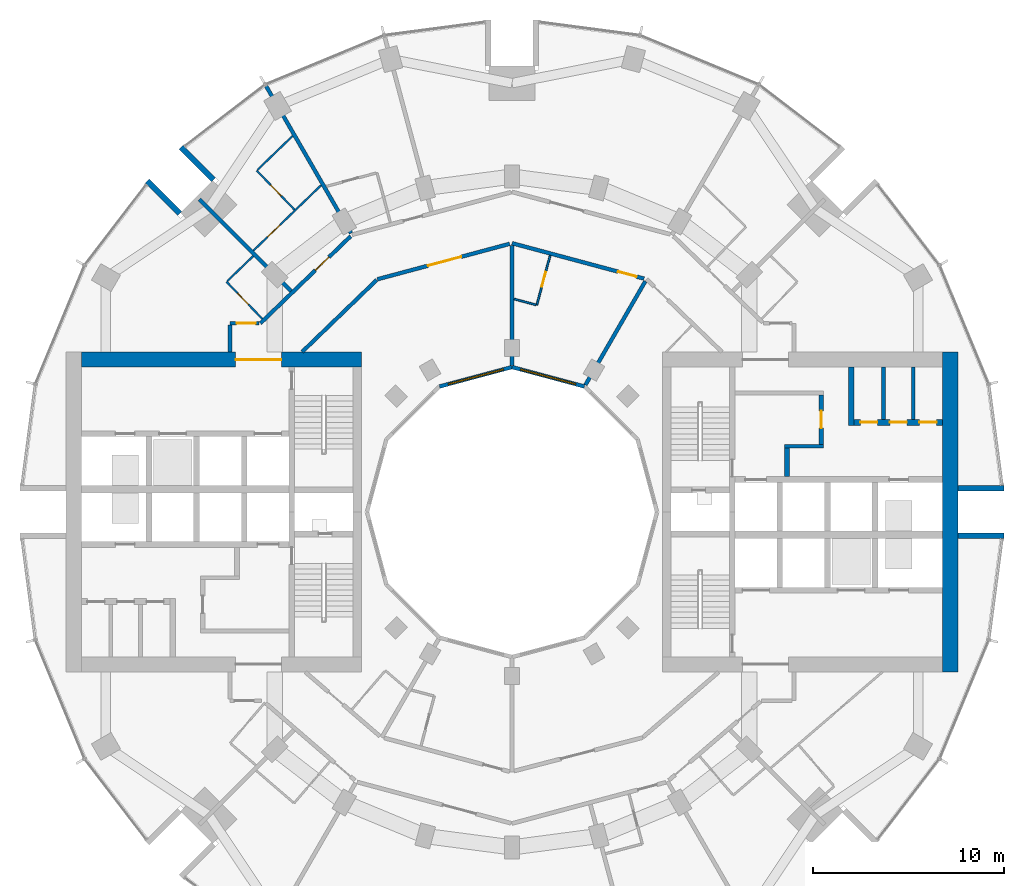
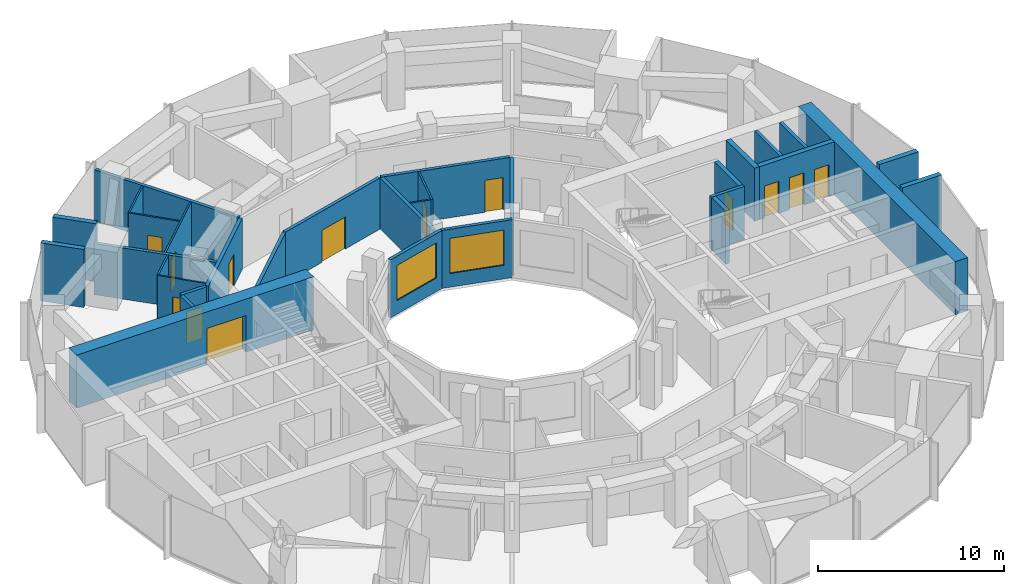
# One storey, part 11 of 15: 32 walls, 13 doors, 2 windows, 15 openings.
"""IFC4 building model written with IfcOpenShell, lengths in metres."""

from ifc_helpers import new_model, si_unit, direction, frame, frame_2d, origin, place, context, subcontext, project, spatial, rectangle, extrude, material, layer, layer_set, type_object, element, fill, save


model = new_model("IFC4")

# Units and contexts
model_context = context("Model", 3, precision=1e-05, world=origin(), true_north=direction((0.0, 1.0)))
body_context = subcontext(model_context, "Body", "Model", "MODEL_VIEW")
ifc_project = project(units=[si_unit("LENGTHUNIT", "METRE"), si_unit("AREAUNIT", "SQUARE_METRE"), si_unit("VOLUMEUNIT", "CUBIC_METRE"), si_unit("PLANEANGLEUNIT", "RADIAN"), si_unit("MASSUNIT", "GRAM", prefix="KILO")], contexts=[model_context])

# Site, building, storey
site_placement = place(None, origin())
site = spatial("IfcSite", under=ifc_project, at=site_placement, CompositionType="ELEMENT")
building_placement = place(site_placement, origin())
building = spatial("IfcBuilding", under=site, at=building_placement, Name="Torre Brocal", CompositionType="ELEMENT")
storey_placement = place(building_placement, frame((0.0, 0.0, 93.800048828125)))
storey = spatial("IfcBuildingStorey", under=building, at=storey_placement, Name="L21", CompositionType="ELEMENT", Elevation=93.800048828125)

# Walls
ifc_material_1 = material(Name="Masonry block", Category="masonry")
ifc_layer_1 = layer(ifc_material_1, 0.199951171875)
ifc_layer_set_1 = layer_set([ifc_layer_1], Name="Masonry block")
wall_type_1 = type_object("IfcWallType", Name="CORE PARTITION 200", PredefinedType="PARTITIONING", material=ifc_layer_set_1)
for number, where, z_axis, x_axis, name in (
    (1, (99.5, 79.85009765625, 0.0), (0.0, 0.0, 1.0), (0.0, 1.0, 0.0), "Wall CP200"),
    (2, (101.050048828125, 79.85009765625, 0.0), (0.0, 0.0, 1.0), (0.0, 1.0, 0.0), "Wall CP200"),
):
    element("IfcWall", number, at=place(storey_placement, frame(where, z_axis=z_axis, x_axis=x_axis)), inside=storey, type_object=wall_type_1, Name=name, PredefinedType="PARTITIONING", context=body_context, shape_type="SweptSolid", body=[
        extrude(rectangle(XDim=2.75, YDim=0.199951171875, at=frame_2d((1.375, 0.0))), origin(), (0.0, 0.0, 1.0), 3.47998046875),
    ])
ifc_material_2 = material(Name="Concrete C80", Category="concrete")
ifc_layer_2 = layer(ifc_material_2, 0.199951171875)
ifc_layer_set_2 = layer_set([ifc_layer_2], Name="Concrete C80")
wall_type_2 = type_object("IfcWallType", Name="CORE WALL 200 C80", PredefinedType="SHEAR", material=ifc_layer_set_2)
wall_1_placement = place(storey_placement, frame((94.300048828125, 78.449951171875, 0.0), z_axis=(0.0, 0.0, 1.0), x_axis=(1.0, 0.0, 0.0)))
element("IfcWall", 3, at=wall_1_placement, inside=storey, type_object=wall_type_2, Name="Wall CW200-80", PredefinedType="SHEAR", context=body_context, shape_type="SweptSolid", body=[
    extrude(rectangle(XDim=2.050048828125, YDim=0.199951171875, at=frame_2d((1.02490234375, 0.0))), origin(), (0.0, 0.0, 1.0), 3.47998046875),
])

# Wall, opening, door
ifc_material_3 = material(Name="Concrete C80", Category="concrete")
ifc_layer_3 = layer(ifc_material_3, 0.25)
ifc_layer_set_3 = layer_set([ifc_layer_3], Name="Concrete C80")
wall_type_3 = type_object("IfcWallType", Name="CORE WALL 250 C80", PredefinedType="SHEAR", material=ifc_layer_set_3)
wall_2_placement = place(storey_placement, frame((96.22509765625, 78.550048828125, 0.0), z_axis=(0.0, 0.0, 1.0), x_axis=(0.0, 1.0, 0.0)))
wall_2 = element("IfcWall", 4, at=wall_2_placement, inside=storey, type_object=wall_type_3, Name="Wall CW250-80", PredefinedType="SHEAR", context=body_context, shape_type="SweptSolid", body=[
    extrude(rectangle(XDim=2.599853515625, YDim=0.25, at=frame_2d((1.2998046875, 0.0))), origin(), (0.0, 0.0, 1.0), 3.47998046875),
])
opening_1_placement = place(wall_2_placement, frame((0.85009765625, 0.0, 0.0)))
opening_1 = element("IfcOpeningElement", 5, at=opening_1_placement, cuts=wall_2, Name="Opening E-D15", PredefinedType="OPENING", context=body_context, shape_type="SweptSolid", body=[
    extrude(rectangle(XDim=0.89990234375, YDim=2.10009765625, at=frame_2d((0.449951171875, 1.050048828125))), frame((0.0, 0.135009765625, 0.0), z_axis=(0.0, -1.0, 0.0), x_axis=(1.0, 0.0, 0.0)), (0.0, 0.0, 1.0), 0.27001953125),
])
ifc_material_4 = material(Name="Steel A653", Category="steel")
door_type_1 = type_object("IfcDoorType", Name="LOBBY DOOR FD120 900X2100", OperationType="SINGLE_SWING_RIGHT", PredefinedType="DOOR", material=ifc_material_4)
door_1_placement = place(opening_1_placement, origin())
door_1 = element("IfcDoor", 6, at=door_1_placement, inside=storey, type_object=door_type_1, Name="Door E-D15", OperationType="SINGLE_SWING_LEFT", OverallHeight=2.10009765625, OverallWidth=0.89990234375, PredefinedType="DOOR", context=body_context, shape_type="SweptSolid", body=[
    extrude(rectangle(XDim=0.89990234375, YDim=2.10009765625, at=frame_2d((0.449951171875, 1.050048828125))), frame((0.0, 0.02490234375, 0.0), z_axis=(0.0, -1.0, 0.0), x_axis=(1.0, 0.0, 0.0)), (0.0, 0.0, 1.0), 0.050048828125),
])
fill(opening_1, door_1)

# Walls
wall_3_placement = place(storey_placement, frame((94.425048828125, 76.85009765625, 0.0), z_axis=(0.0, 0.0, 1.0), x_axis=(0.0, 1.0, 0.0)))
element("IfcWall", 7, at=wall_3_placement, inside=storey, type_object=wall_type_3, Name="Wall CW250-80", PredefinedType="SHEAR", context=body_context, shape_type="SweptSolid", body=[
    extrude(rectangle(XDim=1.5, YDim=0.25, at=frame_2d((0.75, 0.0))), origin(), (0.0, 0.0, 1.0), 3.47998046875),
])
ifc_material_5 = material(Name="Concrete C80", Category="concrete")
ifc_layer_4 = layer(ifc_material_5, 0.300048828125)
ifc_layer_set_4 = layer_set([ifc_layer_4], Name="Concrete C80")
wall_type_4 = type_object("IfcWallType", Name="CORE WALL 300 C80", PredefinedType="SHEAR", material=ifc_layer_set_4)
wall_4_placement = place(storey_placement, frame((97.800048828125, 79.550048828125, 0.0), z_axis=(0.0, 0.0, 1.0), x_axis=(0.0, 1.0, 0.0)))
element("IfcWall", 8, at=wall_4_placement, inside=storey, type_object=wall_type_4, Name="Wall CW300-80", PredefinedType="SHEAR", context=body_context, shape_type="SweptSolid", body=[
    extrude(rectangle(XDim=3.050048828125, YDim=0.300048828125, at=frame_2d((1.52490234375, 0.0))), origin(), (0.0, 0.0, 1.0), 3.47998046875),
])

# Wall, openings, doors
wall_5_placement = place(storey_placement, frame((97.949951171875, 79.699951171875, 0.0), z_axis=(0.0, 0.0, 1.0), x_axis=(1.0, 0.0, 0.0)))
wall_5 = element("IfcWall", 9, at=wall_5_placement, inside=storey, type_object=wall_type_4, Name="Wall CW300-80", PredefinedType="SHEAR", context=body_context, shape_type="SweptSolid", body=[
    extrude(rectangle(XDim=4.650146484375, YDim=0.300048828125, at=frame_2d((2.3251953125, 0.0))), origin(), (0.0, 0.0, 1.0), 3.47998046875),
])
opening_2_placement = place(wall_5_placement, frame((0.324951171875, 0.0, 0.0)))
opening_2 = element("IfcOpeningElement", 10, at=opening_2_placement, cuts=wall_5, Name="Opening E-D05", PredefinedType="OPENING", context=body_context, shape_type="SweptSolid", body=[
    extrude(rectangle(XDim=0.89990234375, YDim=2.10009765625, at=frame_2d((0.449951171875, 1.050048828125))), frame((0.0, 0.159912109375, 0.0), z_axis=(0.0, -1.0, 0.0), x_axis=(1.0, 0.0, 0.0)), (0.0, 0.0, 1.0), 0.320068359375),
])
opening_3_placement = place(wall_5_placement, frame((1.875, 0.0, 0.0)))
opening_3 = element("IfcOpeningElement", 11, at=opening_3_placement, cuts=wall_5, Name="Opening E-D06", PredefinedType="OPENING", context=body_context, shape_type="SweptSolid", body=[
    extrude(rectangle(XDim=0.89990234375, YDim=2.10009765625, at=frame_2d((0.449951171875, 1.050048828125))), frame((0.0, 0.159912109375, 0.0), z_axis=(0.0, -1.0, 0.0), x_axis=(1.0, 0.0, 0.0)), (0.0, 0.0, 1.0), 0.320068359375),
])
opening_4_placement = place(wall_5_placement, frame((3.425048828125, 0.0, 0.0)))
opening_4 = element("IfcOpeningElement", 12, at=opening_4_placement, cuts=wall_5, Name="Opening E-D07", PredefinedType="OPENING", context=body_context, shape_type="SweptSolid", body=[
    extrude(rectangle(XDim=0.89990234375, YDim=2.10009765625, at=frame_2d((0.449951171875, 1.050048828125))), frame((0.0, 0.159912109375, 0.0), z_axis=(0.0, -1.0, 0.0), x_axis=(1.0, 0.0, 0.0)), (0.0, 0.0, 1.0), 0.320068359375),
])
ifc_material_6 = material(Name="Steel A653", Category="steel")
door_type_2 = type_object("IfcDoorType", Name="ROOM DOOR FD30S 900X2100", OperationType="SINGLE_SWING_LEFT", PredefinedType="DOOR", material=ifc_material_6)
door_2_placement = place(opening_2_placement, origin())
door_2 = element("IfcDoor", 13, at=door_2_placement, inside=storey, type_object=door_type_2, Name="Door E-D05", OperationType="SINGLE_SWING_RIGHT", OverallHeight=2.10009765625, OverallWidth=0.89990234375, PredefinedType="DOOR", context=body_context, shape_type="SweptSolid", body=[
    extrude(rectangle(XDim=0.89990234375, YDim=2.10009765625, at=frame_2d((0.449951171875, 1.050048828125))), frame((0.0, 0.02490234375, 0.0), z_axis=(0.0, -1.0, 0.0), x_axis=(1.0, 0.0, 0.0)), (0.0, 0.0, 1.0), 0.050048828125),
])
fill(opening_2, door_2)
door_3_placement = place(opening_3_placement, origin())
door_3 = element("IfcDoor", 14, at=door_3_placement, inside=storey, type_object=door_type_2, Name="Door E-D06", OperationType="SINGLE_SWING_RIGHT", OverallHeight=2.10009765625, OverallWidth=0.89990234375, PredefinedType="DOOR", context=body_context, shape_type="SweptSolid", body=[
    extrude(rectangle(XDim=0.89990234375, YDim=2.10009765625, at=frame_2d((0.449951171875, 1.050048828125))), frame((0.0, 0.02490234375, 0.0), z_axis=(0.0, -1.0, 0.0), x_axis=(1.0, 0.0, 0.0)), (0.0, 0.0, 1.0), 0.050048828125),
])
fill(opening_3, door_3)
door_4_placement = place(opening_4_placement, origin())
door_4 = element("IfcDoor", 15, at=door_4_placement, inside=storey, type_object=door_type_2, Name="Door E-D07", OperationType="SINGLE_SWING_LEFT", OverallHeight=2.10009765625, OverallWidth=0.89990234375, PredefinedType="DOOR", context=body_context, shape_type="SweptSolid", body=[
    extrude(rectangle(XDim=0.89990234375, YDim=2.10009765625, at=frame_2d((0.449951171875, 1.050048828125))), frame((0.0, 0.02490234375, 0.0), z_axis=(0.0, -1.0, 0.0), x_axis=(1.0, 0.0, 0.0)), (0.0, 0.0, 1.0), 0.050048828125),
])
fill(opening_4, door_4)

# Wall
ifc_material_7 = material(Name="Concrete C80", Category="concrete")
ifc_layer_5 = layer(ifc_material_7, 0.800048828125)
ifc_layer_set_5 = layer_set([ifc_layer_5], Name="Concrete C80")
wall_type_5 = type_object("IfcWallType", Name="CORE WALL 800 C80", PredefinedType="SHEAR", material=ifc_layer_set_5)
wall_6_placement = place(storey_placement, frame((103.0, 66.60009765625, 0.0), z_axis=(0.0, 0.0, 1.0), x_axis=(0.0, 1.0, 0.0)))
element("IfcWall", 16, at=wall_6_placement, inside=storey, type_object=wall_type_5, Name="Wall CW800-80", PredefinedType="SHEAR", context=body_context, shape_type="SweptSolid", body=[
    extrude(rectangle(XDim=16.7998046875, YDim=0.800048828125, at=frame_2d((8.39990234375, 0.0))), origin(), (0.0, 0.0, 1.0), 3.47998046875),
])

# Wall, opening, door
wall_7_placement = place(storey_placement, frame((72.10009765625, 83.0, 0.0), z_axis=(0.0, 0.0, 1.0), x_axis=(-1.0, 0.0, 0.0)))
wall_7 = element("IfcWall", 17, at=wall_7_placement, inside=storey, type_object=wall_type_5, Name="Wall CW800-80", PredefinedType="SHEAR", context=body_context, shape_type="SweptSolid", body=[
    extrude(rectangle(XDim=14.7001953125, YDim=0.800048828125, at=frame_2d((7.35009765625, 0.0))), origin(), (0.0, 0.0, 1.0), 3.47998046875),
])
opening_5_placement = place(wall_7_placement, frame((4.199951171875, 0.0, 0.0)))
opening_5 = element("IfcOpeningElement", 18, at=opening_5_placement, cuts=wall_7, Name="Opening W-D30", PredefinedType="OPENING", context=body_context, shape_type="SweptSolid", body=[
    extrude(rectangle(XDim=2.39990234375, YDim=2.39990234375, at=frame_2d((1.199951171875, 1.199951171875))), frame((0.0, 0.409912109375, 0.0), z_axis=(0.0, -1.0, 0.0), x_axis=(1.0, 0.0, 0.0)), (0.0, 0.0, 1.0), 0.820068359375),
])
ifc_material_8 = material(Name="Steel A653", Category="steel")
door_type_3 = type_object("IfcDoorType", Name="DOUBLE FIRE DOOR FD90 2400X2400", OperationType="DOUBLE_DOOR_SINGLE_SWING", PredefinedType="DOOR", material=ifc_material_8)
door_5_placement = place(opening_5_placement, origin())
door_5 = element("IfcDoor", 19, at=door_5_placement, inside=storey, type_object=door_type_3, Name="Door W-D30", OperationType="DOUBLE_DOOR_SINGLE_SWING", OverallHeight=2.39990234375, OverallWidth=2.39990234375, PredefinedType="DOOR", context=body_context, shape_type="SweptSolid", body=[
    extrude(rectangle(XDim=2.39990234375, YDim=2.39990234375, at=frame_2d((1.199951171875, 1.199951171875))), frame((0.0, 0.02490234375, 0.0), z_axis=(0.0, -1.0, 0.0), x_axis=(1.0, 0.0, 0.0)), (0.0, 0.0, 1.0), 0.050048828125),
])
fill(opening_5, door_5)

# Walls
ifc_material_9 = material(Name="Concrete C80", Category="concrete")
ifc_layer_6 = layer(ifc_material_9, 0.300048828125)
ifc_layer_set_6 = layer_set([ifc_layer_6], Name="Concrete C80")
wall_type_6 = type_object("IfcWallType", Name="NOTCH RETURN WALL 300 C80", PredefinedType="NOTDEFINED", material=ifc_layer_set_6)
for number, where, z_axis, x_axis, name in (
    (20, (103.39990234375, 73.75, 0.0), (0.0, 0.0, 1.0), (1.0, 0.0, 0.0), "NOTCH RETURN WALL"),
    (21, (103.39990234375, 76.25, 0.0), (0.0, 0.0, 1.0), (1.0, 0.0, 0.0), "NOTCH RETURN WALL"),
    (22, (64.337646484375, 92.43017578125, 0.0), (0.0, 0.0, 1.0), (-0.707106781187, 0.707106781187, 0.0), "NOTCH RETURN WALL"),
    (23, (62.56982421875, 90.662353515625, 0.0), (0.0, 0.0, 1.0), (-0.707106781187, 0.707106781187, 0.0), "NOTCH RETURN WALL"),
):
    element("IfcWall", number, at=place(storey_placement, frame(where, z_axis=z_axis, x_axis=x_axis)), inside=storey, type_object=wall_type_6, Name=name, PredefinedType="NOTDEFINED", context=body_context, shape_type="SweptSolid", body=[
        extrude(rectangle(XDim=2.415771484375, YDim=0.300048828125, at=frame_2d((1.2080078125, 0.0))), origin(), (0.0, 0.0, 1.0), 3.800048828125),
    ])
ifc_material_10 = material(Name="Gypsum board", Category="Gypsum")
ifc_layer_7 = layer(ifc_material_10, 0.10009765625)
ifc_layer_set_7 = layer_set([ifc_layer_7], Name="Gypsum board")
wall_type_7 = type_object("IfcWallType", Name="PARTITION 100", PredefinedType="PARTITIONING", material=ifc_layer_set_7)
wall_8_placement = place(storey_placement, frame((65.05810546875, 87.11376953125, 0.0), z_axis=(0.0, 0.0, 1.0), x_axis=(0.719653890619, 0.694332973232, 0.0)))
element("IfcWall", 24, at=wall_8_placement, inside=storey, type_object=wall_type_7, Name="BATHROOM WALL", PredefinedType="PARTITIONING", context=body_context, shape_type="SweptSolid", body=[
    extrude(rectangle(XDim=1.8994140625, YDim=0.10009765625, at=frame_2d((0.94970703125, 0.0))), origin(), (0.0, 0.0, 1.0), 3.349853515625),
])

# Wall, opening, door
wall_9_placement = place(storey_placement, frame((65.02197265625, 87.0791015625, 0.0), z_axis=(0.0, 0.0, 1.0), x_axis=(0.694287838235, -0.719697434815, 0.0)))
wall_9 = element("IfcWall", 25, at=wall_9_placement, inside=storey, type_object=wall_type_7, Name="BATHROOM WALL", PredefinedType="PARTITIONING", context=body_context, shape_type="SweptSolid", body=[
    extrude(rectangle(XDim=2.699951171875, YDim=0.10009765625, at=frame_2d((1.35009765625, 0.0))), origin(), (0.0, 0.0, 1.0), 3.349853515625),
])
opening_6_placement = place(wall_9_placement, frame((0.849853515625, 0.0, 0.0)))
opening_6 = element("IfcOpeningElement", 26, at=opening_6_placement, cuts=wall_9, Name="Opening H06-D12", PredefinedType="OPENING", context=body_context, shape_type="SweptSolid", body=[
    extrude(rectangle(XDim=0.800048828125, YDim=2.10009765625, at=frame_2d((0.39990234375, 1.050048828125))), frame((0.0, 0.06005859375, 0.0), z_axis=(0.0, -1.0, 0.0), x_axis=(1.0, 0.0, 0.0)), (0.0, 0.0, 1.0), 0.1201171875),
])
ifc_material_11 = material(Name="Timber", Category="wood")
door_type_4 = type_object("IfcDoorType", Name="BATHROOM DOOR 800X2100", OperationType="SINGLE_SWING_LEFT", PredefinedType="DOOR", material=ifc_material_11)
door_6_placement = place(opening_6_placement, origin())
door_6 = element("IfcDoor", 27, at=door_6_placement, inside=storey, type_object=door_type_4, Name="H06-D12", OperationType="SINGLE_SWING_LEFT", OverallHeight=2.10009765625, OverallWidth=0.800048828125, PredefinedType="DOOR", context=body_context, shape_type="SweptSolid", body=[
    extrude(rectangle(XDim=0.800048828125, YDim=2.10009765625, at=frame_2d((0.39990234375, 1.050048828125))), frame((0.0, 0.02490234375, 0.0), z_axis=(0.0, -1.0, 0.0), x_axis=(1.0, 0.0, 0.0)), (0.0, 0.0, 1.0), 0.050048828125),
])
fill(opening_6, door_6)

wall_10_placement = place(storey_placement, frame((66.43603515625, 88.720458984375, 0.0), z_axis=(0.0, 0.0, 1.0), x_axis=(0.719585934284, 0.694403400899, 0.0)))
wall_10 = element("IfcWall", 28, at=wall_10_placement, inside=storey, type_object=wall_type_7, Name="BATHROOM WALL", PredefinedType="PARTITIONING", context=body_context, shape_type="SweptSolid", body=[
    extrude(rectangle(XDim=4.925048828125, YDim=0.10009765625, at=frame_2d((2.46240234375, 0.0))), origin(), (0.0, 0.0, 1.0), 3.349853515625),
])
opening_7_placement = place(wall_10_placement, frame((1.0224609375, 0.0, 0.0)))
opening_7 = element("IfcOpeningElement", 29, at=opening_7_placement, cuts=wall_10, Name="Opening H06-D09", PredefinedType="OPENING", context=body_context, shape_type="SweptSolid", body=[
    extrude(rectangle(XDim=0.89990234375, YDim=2.10009765625, at=frame_2d((0.449951171875, 1.050048828125))), frame((0.0, 0.06005859375, 0.0), z_axis=(0.0, -1.0, 0.0), x_axis=(1.0, 0.0, 0.0)), (0.0, 0.0, 1.0), 0.1201171875),
])
ifc_material_12 = material(Name="Timber", Category="wood")
door_type_5 = type_object("IfcDoorType", Name="ROOM DOOR 900X2100", OperationType="SINGLE_SWING_LEFT", PredefinedType="DOOR", material=ifc_material_12)
door_7_placement = place(opening_7_placement, frame((0.89990234375, 0.0, 0.0), z_axis=(0.0, 0.0, 1.0), x_axis=(-1.0, 0.0, 0.0)))
door_7 = element("IfcDoor", 30, at=door_7_placement, inside=storey, type_object=door_type_5, Name="H06-D09", OperationType="SINGLE_SWING_RIGHT", OverallHeight=2.10009765625, OverallWidth=0.89990234375, PredefinedType="DOOR", context=body_context, shape_type="SweptSolid", body=[
    extrude(rectangle(XDim=0.89990234375, YDim=2.10009765625, at=frame_2d((0.449951171875, 1.050048828125))), frame((0.0, 0.02490234375, 0.0), z_axis=(0.0, -1.0, 0.0), x_axis=(1.0, 0.0, 0.0)), (0.0, 0.0, 1.0), 0.050048828125),
])
fill(opening_7, door_7)

# Wall
wall_11_placement = place(storey_placement, frame((66.64208984375, 92.94970703125, 0.0), z_axis=(0.0, 0.0, 1.0), x_axis=(0.719667412702, 0.694318957753, 0.0)))
element("IfcWall", 31, at=wall_11_placement, inside=storey, type_object=wall_type_7, Name="BATHROOM WALL", PredefinedType="PARTITIONING", context=body_context, shape_type="SweptSolid", body=[
    extrude(rectangle(XDim=2.56201171875, YDim=0.10009765625, at=frame_2d((1.281005859375, 0.0))), origin(), (0.0, 0.0, 1.0), 3.349853515625),
])

# Wall, opening, door
wall_12_placement = place(storey_placement, frame((66.60595703125, 92.9150390625, 0.0), z_axis=(0.0, 0.0, 1.0), x_axis=(0.694403413121, -0.71958592249, 0.0)))
wall_12 = element("IfcWall", 32, at=wall_12_placement, inside=storey, type_object=wall_type_7, Name="BATHROOM WALL", PredefinedType="PARTITIONING", context=body_context, shape_type="SweptSolid", body=[
    extrude(rectangle(XDim=2.850341796875, YDim=0.10009765625, at=frame_2d((1.42529296875, 0.0))), origin(), (0.0, 0.0, 1.0), 3.349853515625),
])
opening_8_placement = place(wall_12_placement, frame((1.05029296875, 0.0, 0.0)))
opening_8 = element("IfcOpeningElement", 33, at=opening_8_placement, cuts=wall_12, Name="Opening H06-D10", PredefinedType="OPENING", context=body_context, shape_type="SweptSolid", body=[
    extrude(rectangle(XDim=0.800048828125, YDim=2.10009765625, at=frame_2d((0.39990234375, 1.050048828125))), frame((0.0, 0.06005859375, 0.0), z_axis=(0.0, -1.0, 0.0), x_axis=(1.0, 0.0, 0.0)), (0.0, 0.0, 1.0), 0.1201171875),
])
door_8_placement = place(opening_8_placement, origin())
door_8 = element("IfcDoor", 34, at=door_8_placement, inside=storey, type_object=door_type_4, Name="H06-D10", OperationType="SINGLE_SWING_RIGHT", OverallHeight=2.10009765625, OverallWidth=0.800048828125, PredefinedType="DOOR", context=body_context, shape_type="SweptSolid", body=[
    extrude(rectangle(XDim=0.800048828125, YDim=2.10009765625, at=frame_2d((0.39990234375, 1.050048828125))), frame((0.0, 0.02490234375, 0.0), z_axis=(0.0, -1.0, 0.0), x_axis=(1.0, 0.0, 0.0)), (0.0, 0.0, 1.0), 0.050048828125),
])
fill(opening_8, door_8)

# Wall
wall_13_placement = place(storey_placement, frame((80.106201171875, 86.176513671875, 0.0), z_axis=(0.0, 0.0, 1.0), x_axis=(0.966002973184, -0.258530957139, 0.0)))
element("IfcWall", 35, at=wall_13_placement, inside=storey, type_object=wall_type_7, Name="BATHROOM WALL", PredefinedType="PARTITIONING", context=body_context, shape_type="SweptSolid", body=[
    extrude(rectangle(XDim=1.18994140625, YDim=0.10009765625, at=frame_2d((0.594970703125, 0.0))), origin(), (0.0, 0.0, 1.0), 3.349853515625),
])

# Wall, opening, door
wall_14_placement = place(storey_placement, frame((81.303955078125, 85.85595703125, 0.0), z_axis=(0.0, 0.0, 1.0), x_axis=(0.25867580527, 0.965964195904, 0.0)))
wall_14 = element("IfcWall", 36, at=wall_14_placement, inside=storey, type_object=wall_type_7, Name="BATHROOM WALL", PredefinedType="PARTITIONING", context=body_context, shape_type="SweptSolid", body=[
    extrude(rectangle(XDim=2.69921875, YDim=0.10009765625, at=frame_2d((1.349609375, 0.0))), origin(), (0.0, 0.0, 1.0), 3.349853515625),
])
opening_9_placement = place(wall_14_placement, frame((0.99951171875, 0.0, 0.0)))
opening_9 = element("IfcOpeningElement", 37, at=opening_9_placement, cuts=wall_14, Name="Opening H06-D16", PredefinedType="OPENING", context=body_context, shape_type="SweptSolid", body=[
    extrude(rectangle(XDim=0.800048828125, YDim=2.10009765625, at=frame_2d((0.39990234375, 1.050048828125))), frame((0.0, 0.06005859375, 0.0), z_axis=(0.0, -1.0, 0.0), x_axis=(1.0, 0.0, 0.0)), (0.0, 0.0, 1.0), 0.1201171875),
])
door_9_placement = place(opening_9_placement, origin())
door_9 = element("IfcDoor", 38, at=door_9_placement, inside=storey, type_object=door_type_4, Name="H06-D16", OperationType="SINGLE_SWING_RIGHT", OverallHeight=2.10009765625, OverallWidth=0.800048828125, PredefinedType="DOOR", context=body_context, shape_type="SweptSolid", body=[
    extrude(rectangle(XDim=0.800048828125, YDim=2.10009765625, at=frame_2d((0.39990234375, 1.050048828125))), frame((0.0, 0.02490234375, 0.0), z_axis=(0.0, -1.0, 0.0), x_axis=(1.0, 0.0, 0.0)), (0.0, 0.0, 1.0), 0.050048828125),
])
fill(opening_9, door_9)

# Walls
ifc_material_13 = material(Name="Gypsum board", Category="Gypsum")
ifc_layer_8 = layer(ifc_material_13, 0.199951171875)
ifc_layer_set_8 = layer_set([ifc_layer_8], Name="Gypsum board")
wall_type_8 = type_object("IfcWallType", Name="PARTITION 200 EI60", PredefinedType="PARTITIONING", material=ifc_layer_set_8)
wall_15_placement = place(storey_placement, frame((63.599609375, 91.4091796875, 0.0), z_axis=(0.0, 0.0, 1.0), x_axis=(0.706945318761, -0.707268206752, 0.0)))
element("IfcWall", 39, at=wall_15_placement, inside=storey, type_object=wall_type_8, Name="BATHROOM WALL", PredefinedType="PARTITIONING", context=body_context, shape_type="SweptSolid", body=[
    extrude(rectangle(XDim=6.804931640625, YDim=0.199951171875, at=frame_2d((3.40234375, 0.0))), origin(), (0.0, 0.0, 1.0), 3.349853515625),
])
wall_16_placement = place(storey_placement, frame((65.199951171875, 83.40087890625, 0.0), z_axis=(0.0, 0.0, 1.0), x_axis=(0.0, 1.0, 0.0)))
element("IfcWall", 40, at=wall_16_placement, inside=storey, type_object=wall_type_8, Name="GUESTROOM CORRIDOR WALL", PredefinedType="PARTITIONING", context=body_context, shape_type="SweptSolid", body=[
    extrude(rectangle(XDim=1.399169921875, YDim=0.199951171875, at=frame_2d((0.69970703125, 0.0))), origin(), (0.0, 0.0, 1.0), 3.349853515625),
])

# Wall, opening, door
wall_17_placement = place(storey_placement, frame((65.199951171875, 84.89990234375, 0.0), z_axis=(0.0, 0.0, 1.0), x_axis=(1.0, 0.0, 0.0)))
wall_17 = element("IfcWall", 41, at=wall_17_placement, inside=storey, type_object=wall_type_8, Name="GUESTROOM CORRIDOR WALL", PredefinedType="PARTITIONING", context=body_context, shape_type="SweptSolid", body=[
    extrude(rectangle(XDim=1.5361328125, YDim=0.199951171875, at=frame_2d((0.76806640625, 0.0))), origin(), (0.0, 0.0, 1.0), 3.349853515625),
])
opening_10_placement = place(wall_17_placement, frame((0.346923828125, 0.0, 0.0)))
opening_10 = element("IfcOpeningElement", 42, at=opening_10_placement, cuts=wall_17, Name="Opening H06-D11", PredefinedType="OPENING", context=body_context, shape_type="SweptSolid", body=[
    extrude(rectangle(XDim=1.0, YDim=2.10009765625, at=frame_2d((0.5, 1.050048828125))), frame((0.0, 0.10986328125, 0.0), z_axis=(0.0, -1.0, 0.0), x_axis=(1.0, 0.0, 0.0)), (0.0, 0.0, 1.0), 0.219970703125),
])
ifc_material_14 = material(Name="Timber", Category="wood")
door_type_6 = type_object("IfcDoorType", Name="FLAT ENTRY DOOR FD30S 1000X2100", OperationType="SINGLE_SWING_RIGHT", PredefinedType="DOOR", material=ifc_material_14)
door_10_placement = place(opening_10_placement, origin())
door_10 = element("IfcDoor", 43, at=door_10_placement, inside=storey, type_object=door_type_6, Name="H06-D11", OperationType="SINGLE_SWING_LEFT", OverallHeight=2.10009765625, OverallWidth=1.0, PredefinedType="DOOR", context=body_context, shape_type="SweptSolid", body=[
    extrude(rectangle(XDim=1.0, YDim=2.10009765625, at=frame_2d((0.5, 1.050048828125))), frame((0.0, 0.02490234375, 0.0), z_axis=(0.0, -1.0, 0.0), x_axis=(1.0, 0.0, 0.0)), (0.0, 0.0, 1.0), 0.050048828125),
])
fill(opening_10, door_10)

wall_18_placement = place(storey_placement, frame((66.796142578125, 84.89990234375, 0.0), z_axis=(0.0, 0.0, 1.0), x_axis=(0.719690784855, 0.694294731505, 0.0)))
wall_18 = element("IfcWall", 44, at=wall_18_placement, inside=storey, type_object=wall_type_8, Name="FLAT ENTRANCE WALL", PredefinedType="PARTITIONING", context=body_context, shape_type="SweptSolid", body=[
    extrude(rectangle(XDim=6.585205078125, YDim=0.199951171875, at=frame_2d((3.29248046875, 0.0))), origin(), (0.0, 0.0, 1.0), 3.349853515625),
])
opening_11_placement = place(wall_18_placement, frame((4.006103515625, 0.0, 0.0)))
opening_11 = element("IfcOpeningElement", 45, at=opening_11_placement, cuts=wall_18, Name="Opening H06-D08", PredefinedType="OPENING", context=body_context, shape_type="SweptSolid", body=[
    extrude(rectangle(XDim=1.0, YDim=2.10009765625, at=frame_2d((0.5, 1.050048828125))), frame((0.0, 0.10986328125, 0.0), z_axis=(0.0, -1.0, 0.0), x_axis=(1.0, 0.0, 0.0)), (0.0, 0.0, 1.0), 0.219970703125),
])
door_11_placement = place(opening_11_placement, origin())
door_11 = element("IfcDoor", 46, at=door_11_placement, inside=storey, type_object=door_type_6, Name="H06-D08", OperationType="SINGLE_SWING_LEFT", OverallHeight=2.10009765625, OverallWidth=1.0, PredefinedType="DOOR", context=body_context, shape_type="SweptSolid", body=[
    extrude(rectangle(XDim=1.0, YDim=2.10009765625, at=frame_2d((0.5, 1.050048828125))), frame((0.0, 0.02490234375, 0.0), z_axis=(0.0, -1.0, 0.0), x_axis=(1.0, 0.0, 0.0)), (0.0, 0.0, 1.0), 0.050048828125),
])
fill(opening_11, door_11)

# Walls
wall_19_placement = place(storey_placement, frame((67.1015625, 97.341796875, 0.0), z_axis=(0.0, 0.0, 1.0), x_axis=(0.499900389553, -0.866082906265, 0.0)))
element("IfcWall", 47, at=wall_19_placement, inside=storey, type_object=wall_type_8, Name="BATHROOM WALL", PredefinedType="PARTITIONING", context=body_context, shape_type="SweptSolid", body=[
    extrude(rectangle(XDim=8.907958984375, YDim=0.199951171875, at=frame_2d((4.4541015625, 0.0))), origin(), (0.0, 0.0, 1.0), 3.349853515625),
])
wall_20_placement = place(storey_placement, frame((68.9873046875, 83.39990234375, 0.0), z_axis=(0.0, 0.0, 1.0), x_axis=(0.719586298962, 0.694403022997, 0.0)))
element("IfcWall", 48, at=wall_20_placement, inside=storey, type_object=wall_type_8, Name="GUESTROOM CORRIDOR WALL", PredefinedType="PARTITIONING", context=body_context, shape_type="SweptSolid", body=[
    extrude(rectangle(XDim=5.438720703125, YDim=0.199951171875, at=frame_2d((2.71923828125, 0.0))), origin(), (0.0, 0.0, 1.0), 3.349853515625),
])

# Wall, opening, door
wall_21_placement = place(storey_placement, frame((72.93603515625, 87.2109375, 0.0), z_axis=(0.0, 0.0, 1.0), x_axis=(0.965917703859, 0.258849356521, 0.0)))
wall_21 = element("IfcWall", 49, at=wall_21_placement, inside=storey, type_object=wall_type_8, Name="GUESTROOM CORRIDOR WALL", PredefinedType="PARTITIONING", context=body_context, shape_type="SweptSolid", body=[
    extrude(rectangle(XDim=7.182373046875, YDim=0.199951171875, at=frame_2d((3.59130859375, 0.0))), origin(), (0.0, 0.0, 1.0), 3.349853515625),
])
opening_12_placement = place(wall_21_placement, frame((2.756591796875, 0.0, 0.0)))
opening_12 = element("IfcOpeningElement", 50, at=opening_12_placement, cuts=wall_21, Name="Opening H06-D17", PredefinedType="OPENING", context=body_context, shape_type="SweptSolid", body=[
    extrude(rectangle(XDim=1.800048828125, YDim=2.10009765625, at=frame_2d((0.89990234375, 1.050048828125))), frame((0.0, 0.10986328125, 0.0), z_axis=(0.0, -1.0, 0.0), x_axis=(1.0, 0.0, 0.0)), (0.0, 0.0, 1.0), 0.219970703125),
])
ifc_material_15 = material(Name="Timber", Category="wood")
door_type_7 = type_object("IfcDoorType", Name="DOUBLE DOOR 1800X2100", OperationType="DOUBLE_DOOR_SINGLE_SWING", PredefinedType="DOOR", material=ifc_material_15)
door_12_placement = place(opening_12_placement, frame((1.800048828125, 0.0, 0.0), z_axis=(0.0, 0.0, 1.0), x_axis=(-1.0, 0.0, 0.0)))
door_12 = element("IfcDoor", 51, at=door_12_placement, inside=storey, type_object=door_type_7, Name="H06-D17", OperationType="DOUBLE_DOOR_SINGLE_SWING", OverallHeight=2.10009765625, OverallWidth=1.800048828125, PredefinedType="DOOR", context=body_context, shape_type="SweptSolid", body=[
    extrude(rectangle(XDim=1.800048828125, YDim=2.10009765625, at=frame_2d((0.89990234375, 1.050048828125))), frame((0.0, 0.02490234375, 0.0), z_axis=(0.0, -1.0, 0.0), x_axis=(1.0, 0.0, 0.0)), (0.0, 0.0, 1.0), 0.050048828125),
])
fill(opening_12, door_12)

# Wall
wall_22_placement = place(storey_placement, frame((80.0, 82.699951171875, 0.0), z_axis=(0.0, 0.0, 1.0), x_axis=(0.0, 1.0, 0.0)))
element("IfcWall", 52, at=wall_22_placement, inside=storey, type_object=wall_type_8, Name="BATHROOM WALL", PredefinedType="PARTITIONING", context=body_context, shape_type="SweptSolid", body=[
    extrude(rectangle(XDim=6.27294921875, YDim=0.199951171875, at=frame_2d((3.136474609375, 0.0))), origin(), (0.0, 0.0, 1.0), 3.349853515625),
])

# Wall, opening, door
wall_23_placement = place(storey_placement, frame((80.0, 89.10400390625, 0.0), z_axis=(0.0, 0.0, 1.0), x_axis=(0.965856548257, -0.259077455964, 0.0)))
wall_23 = element("IfcWall", 53, at=wall_23_placement, inside=storey, type_object=wall_type_8, Name="GUESTROOM CORRIDOR WALL", PredefinedType="PARTITIONING", context=body_context, shape_type="SweptSolid", body=[
    extrude(rectangle(XDim=7.173095703125, YDim=0.199951171875, at=frame_2d((3.58642578125, 0.0))), origin(), (0.0, 0.0, 1.0), 3.349853515625),
])
opening_13_placement = place(wall_23_placement, frame((5.76318359375, 0.0, 0.0)))
opening_13 = element("IfcOpeningElement", 54, at=opening_13_placement, cuts=wall_23, Name="Opening H06-D15", PredefinedType="OPENING", context=body_context, shape_type="SweptSolid", body=[
    extrude(rectangle(XDim=1.0, YDim=2.10009765625, at=frame_2d((0.5, 1.050048828125))), frame((0.0, 0.10986328125, 0.0), z_axis=(0.0, -1.0, 0.0), x_axis=(1.0, 0.0, 0.0)), (0.0, 0.0, 1.0), 0.219970703125),
])
door_13_placement = place(opening_13_placement, frame((1.0, 0.0, 0.0), z_axis=(0.0, 0.0, 1.0), x_axis=(-1.0, 0.0, 0.0)))
door_13 = element("IfcDoor", 55, at=door_13_placement, inside=storey, type_object=door_type_6, Name="H06-D15", OperationType="SINGLE_SWING_LEFT", OverallHeight=2.10009765625, OverallWidth=1.0, PredefinedType="DOOR", context=body_context, shape_type="SweptSolid", body=[
    extrude(rectangle(XDim=1.0, YDim=2.10009765625, at=frame_2d((0.5, 1.050048828125))), frame((0.0, 0.02490234375, 0.0), z_axis=(0.0, -1.0, 0.0), x_axis=(1.0, 0.0, 0.0)), (0.0, 0.0, 1.0), 0.050048828125),
])
fill(opening_13, door_13)

# Wall
wall_24_placement = place(storey_placement, frame((83.851806640625, 81.665283203125, 0.0), z_axis=(0.0, 0.0, 1.0), x_axis=(0.500236829077, 0.86588862727, 0.0)))
element("IfcWall", 56, at=wall_24_placement, inside=storey, type_object=wall_type_8, Name="PARTY PARTITION", PredefinedType="PARTITIONING", context=body_context, shape_type="SweptSolid", body=[
    extrude(rectangle(XDim=6.28564453125, YDim=0.199951171875, at=frame_2d((3.142822265625, 0.0))), origin(), (0.0, 0.0, 1.0), 3.349853515625),
])

# Wall, opening, window
ifc_material_16 = material(Name="Concrete C40", Category="concrete")
ifc_layer_9 = layer(ifc_material_16, 0.199951171875)
ifc_layer_set_9 = layer_set([ifc_layer_9], Name="Concrete C40")
wall_type_9 = type_object("IfcWallType", Name="WELL FACADE WALL 200", PredefinedType="NOTDEFINED", material=ifc_layer_set_9)
wall_25_placement = place(storey_placement, frame((83.8017578125, 81.5849609375, 0.0), z_axis=(0.0, 0.0, 1.0), x_axis=(-0.965933654434, 0.258789828301, 0.0)))
wall_25 = element("IfcWall", 57, at=wall_25_placement, inside=storey, type_object=wall_type_9, Name="WELL FACADE WALL", PredefinedType="NOTDEFINED", context=body_context, shape_type="SweptSolid", body=[
    extrude(rectangle(XDim=3.935791015625, YDim=0.199951171875, at=frame_2d((1.9677734375, 0.0))), origin(), (0.0, 0.0, 1.0), 3.800048828125),
])
opening_14_placement = place(wall_25_placement, frame((0.468017578125, 0.0, 0.89990234375)))
opening_14 = element("IfcOpeningElement", 58, at=opening_14_placement, cuts=wall_25, Name="Opening W1", PredefinedType="OPENING", context=body_context, shape_type="SweptSolid", body=[
    extrude(rectangle(XDim=3.0, YDim=2.300048828125, at=frame_2d((1.5, 1.14990234375))), frame((0.0, 0.10986328125, 0.0), z_axis=(0.0, -1.0, 0.0), x_axis=(1.0, 0.0, 0.0)), (0.0, 0.0, 1.0), 0.219970703125),
])
ifc_material_17 = material(Name="Aluminium and glass", Category="aluminium")
window_type = type_object("IfcWindowType", Name="WELL WINDOW 3000X2300", PartitioningType="SINGLE_PANEL", PredefinedType="WINDOW", material=ifc_material_17)
window_1_placement = place(opening_14_placement, origin())
window_1 = element("IfcWindow", 59, at=window_1_placement, inside=storey, type_object=window_type, Name="WELL WINDOW 3000X2300", OverallHeight=2.300048828125, OverallWidth=3.0, PartitioningType="SINGLE_PANEL", PredefinedType="WINDOW", context=body_context, shape_type="SweptSolid", body=[
    extrude(rectangle(XDim=3.0, YDim=2.300048828125, at=frame_2d((1.5, 1.14990234375))), frame((0.0, 0.030029296875, 0.0), z_axis=(0.0, -1.0, 0.0), x_axis=(1.0, 0.0, 0.0)), (0.0, 0.0, 1.0), 0.06005859375),
])
fill(opening_14, window_1)

wall_26_placement = place(storey_placement, frame((80.0, 82.603515625, 0.0), z_axis=(0.0, 0.0, 1.0), x_axis=(-0.965933654434, -0.258789828301, 0.0)))
wall_26 = element("IfcWall", 60, at=wall_26_placement, inside=storey, type_object=wall_type_9, Name="WELL FACADE WALL", PredefinedType="NOTDEFINED", context=body_context, shape_type="SweptSolid", body=[
    extrude(rectangle(XDim=3.935791015625, YDim=0.199951171875, at=frame_2d((1.9677734375, 0.0))), origin(), (0.0, 0.0, 1.0), 3.800048828125),
])
opening_15_placement = place(wall_26_placement, frame((0.468017578125, 0.0, 0.89990234375)))
opening_15 = element("IfcOpeningElement", 61, at=opening_15_placement, cuts=wall_26, Name="Opening W1", PredefinedType="OPENING", context=body_context, shape_type="SweptSolid", body=[
    extrude(rectangle(XDim=3.0, YDim=2.300048828125, at=frame_2d((1.5, 1.14990234375))), frame((0.0, 0.10986328125, 0.0), z_axis=(0.0, -1.0, 0.0), x_axis=(1.0, 0.0, 0.0)), (0.0, 0.0, 1.0), 0.219970703125),
])
window_2_placement = place(opening_15_placement, origin())
window_2 = element("IfcWindow", 62, at=window_2_placement, inside=storey, type_object=window_type, Name="WELL WINDOW 3000X2300", OverallHeight=2.300048828125, OverallWidth=3.0, PartitioningType="SINGLE_PANEL", PredefinedType="WINDOW", context=body_context, shape_type="SweptSolid", body=[
    extrude(rectangle(XDim=3.0, YDim=2.300048828125, at=frame_2d((1.5, 1.14990234375))), frame((0.0, 0.030029296875, 0.0), z_axis=(0.0, -1.0, 0.0), x_axis=(1.0, 0.0, 0.0)), (0.0, 0.0, 1.0), 0.06005859375),
])
fill(opening_15, window_2)

save(model, "model.ifc")
